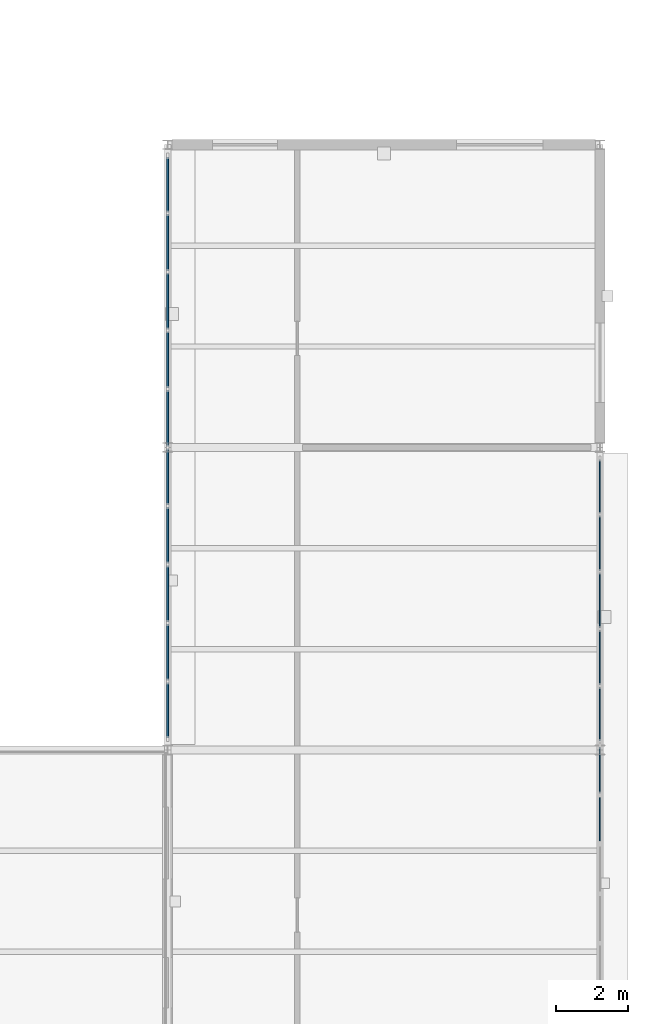
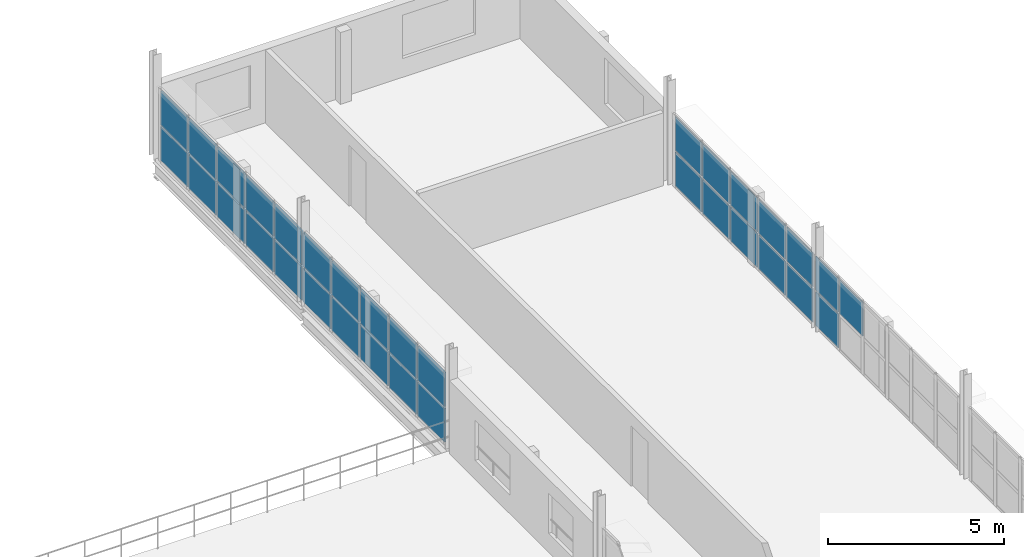
# One storey, part 50 of 74: 33 plates, 3 elements without a shape of their own.
"""IFC4 building model written with IfcOpenShell, lengths in metres."""

from ifc_helpers import new_model, si_unit, direction, frame, origin, origin_2d, place, context, subcontext, project, spatial, rectangle, extrude, material, layer, layer_set, type_object, element, aggregate, save


model = new_model("IFC4")

# Units and contexts
model_context = context("Model", 3, precision=1e-05, world=origin(), true_north=direction((0.0, 1.0)))
body_context = subcontext(model_context, "Body", "Model", "MODEL_VIEW")
ifc_project = project(units=[si_unit("LENGTHUNIT", "METRE"), si_unit("AREAUNIT", "SQUARE_METRE"), si_unit("VOLUMEUNIT", "CUBIC_METRE"), si_unit("PLANEANGLEUNIT", "RADIAN"), si_unit("MASSUNIT", "GRAM", prefix="KILO"), si_unit("THERMODYNAMICTEMPERATUREUNIT", "KELVIN"), si_unit("POWERUNIT", "WATT")], contexts=[model_context])

# Site, building, storey
site_placement = place(None, origin())
site = spatial("IfcSite", under=ifc_project, at=site_placement, CompositionType="ELEMENT")
building_placement = place(site_placement, origin())
building = spatial("IfcBuilding", under=site, at=building_placement, Name="Tembeka Court Mobility Hub", CompositionType="ELEMENT")
storey_placement = place(building_placement, frame((0.0, 0.0, 12.60009765625)))
storey = spatial("IfcBuildingStorey", under=building, at=storey_placement, Name="L03", CompositionType="ELEMENT", Elevation=12.60009765625)

# Curtain wall, plates
ifc_material_1 = material(Name="Anodised aluminium 6063-T6", Category="aluminium")
ifc_layer_1 = layer(ifc_material_1, 0.159912109375)
ifc_layer_set_1 = layer_set([ifc_layer_1], Name="Anodised aluminium 6063-T6")
curtain_wall_type_1 = type_object("IfcCurtainWallType", Name="CW-SYS53", PredefinedType="USERDEFINED", material=ifc_layer_set_1)
curtain_wall_1_placement = place(storey_placement, origin())
curtain_wall_1 = element("IfcCurtainWall", 1, at=curtain_wall_1_placement, inside=storey, type_object=curtain_wall_type_1, Name="Unitised curtain wall CW53 (CW-L03-138)", ObjectType="UNITISED GLAZING", PredefinedType="USERDEFINED")
ifc_material_2 = material(Name="Laminated solar-control low-E glass", Category="glass")
ifc_layer_2 = layer(ifc_material_2, 0.028076171875)
ifc_layer_set_2 = layer_set([ifc_layer_2], Name="Laminated solar-control low-E glass")
plate_type_1 = type_object("IfcPlateType", Name="PL-CW01", PredefinedType="CURTAIN_PANEL", material=ifc_layer_set_2)
plate_1_placement = place(storey_placement, frame((176.39990234375, 44.881103515625, 1.300048828125), z_axis=(0.0, 0.0, 1.0), x_axis=(0.0, 1.0, 0.0)))
plate_1 = element("IfcPlate", 2, at=plate_1_placement, type_object=plate_type_1, Name="CW53 panel 5.2", PredefinedType="CURTAIN_PANEL", context=body_context, shape_type="SweptSolid", body=[
    extrude(rectangle(XDim=1.31298828125, YDim=0.028076171875, at=origin_2d()), origin(), (0.0, 0.0, 1.0), 1.169921875),
])
plate_2_placement = place(storey_placement, frame((176.39990234375, 46.24267578125, 0.06494140625), z_axis=(0.0, 0.0, 1.0), x_axis=(0.0, 1.0, 0.0)))
plate_2 = element("IfcPlate", 3, at=plate_2_placement, type_object=plate_type_1, Name="CW53 panel 6.1", PredefinedType="CURTAIN_PANEL", context=body_context, shape_type="SweptSolid", body=[
    extrude(rectangle(XDim=1.280517578125, YDim=0.028076171875, at=origin_2d()), origin(), (0.0, 0.0, 1.0), 1.169921875),
])
plate_3_placement = place(storey_placement, frame((176.39990234375, 46.24267578125, 1.300048828125), z_axis=(0.0, 0.0, 1.0), x_axis=(0.0, 1.0, 0.0)))
plate_3 = element("IfcPlate", 4, at=plate_3_placement, type_object=plate_type_1, Name="CW53 panel 6.2", PredefinedType="CURTAIN_PANEL", context=body_context, shape_type="SweptSolid", body=[
    extrude(rectangle(XDim=1.280517578125, YDim=0.028076171875, at=origin_2d()), origin(), (0.0, 0.0, 1.0), 1.169921875),
])
aggregate(curtain_wall_1, [plate_1, plate_2, plate_3])

ifc_layer_3 = layer(ifc_material_1, 0.159912109375)
ifc_layer_set_3 = layer_set([ifc_layer_3], Name="Anodised aluminium 6063-T6")
curtain_wall_type_2 = type_object("IfcCurtainWallType", Name="CW-SYS54", PredefinedType="USERDEFINED", material=ifc_layer_set_3)
curtain_wall_2_placement = place(storey_placement, origin())
curtain_wall_2 = element("IfcCurtainWall", 5, at=curtain_wall_2_placement, inside=storey, type_object=curtain_wall_type_2, Name="Unitised curtain wall CW54 (CW-L03-139)", ObjectType="UNITISED GLAZING", PredefinedType="USERDEFINED")
plate_4_placement = place(storey_placement, frame((176.39990234375, 47.79736328125, 0.06494140625), z_axis=(0.0, 0.0, 1.0), x_axis=(0.0, 1.0, 0.0)))
plate_4 = element("IfcPlate", 6, at=plate_4_placement, type_object=plate_type_1, Name="CW54 panel 1.1", PredefinedType="CURTAIN_PANEL", context=body_context, shape_type="SweptSolid", body=[
    extrude(rectangle(XDim=1.489013671875, YDim=0.028076171875, at=origin_2d()), origin(), (0.0, 0.0, 1.0), 1.169921875),
])
plate_5_placement = place(storey_placement, frame((176.39990234375, 47.79736328125, 1.300048828125), z_axis=(0.0, 0.0, 1.0), x_axis=(0.0, 1.0, 0.0)))
plate_5 = element("IfcPlate", 7, at=plate_5_placement, type_object=plate_type_1, Name="CW54 panel 1.2", PredefinedType="CURTAIN_PANEL", context=body_context, shape_type="SweptSolid", body=[
    extrude(rectangle(XDim=1.489013671875, YDim=0.028076171875, at=origin_2d()), origin(), (0.0, 0.0, 1.0), 1.169921875),
])
plate_6_placement = place(storey_placement, frame((176.39990234375, 49.36767578125, 0.06494140625), z_axis=(0.0, 0.0, 1.0), x_axis=(0.0, 1.0, 0.0)))
plate_6 = element("IfcPlate", 8, at=plate_6_placement, type_object=plate_type_1, Name="CW54 panel 2.1", PredefinedType="CURTAIN_PANEL", context=body_context, shape_type="SweptSolid", body=[
    extrude(rectangle(XDim=1.521484375, YDim=0.028076171875, at=origin_2d()), origin(), (0.0, 0.0, 1.0), 1.169921875),
])
plate_7_placement = place(storey_placement, frame((176.39990234375, 49.36767578125, 1.300048828125), z_axis=(0.0, 0.0, 1.0), x_axis=(0.0, 1.0, 0.0)))
plate_7 = element("IfcPlate", 9, at=plate_7_placement, type_object=plate_type_1, Name="CW54 panel 2.2", PredefinedType="CURTAIN_PANEL", context=body_context, shape_type="SweptSolid", body=[
    extrude(rectangle(XDim=1.521484375, YDim=0.028076171875, at=origin_2d()), origin(), (0.0, 0.0, 1.0), 1.169921875),
])
plate_8_placement = place(storey_placement, frame((176.39990234375, 50.9541015625, 0.06494140625), z_axis=(0.0, 0.0, 1.0), x_axis=(0.0, 1.0, 0.0)))
plate_8 = element("IfcPlate", 10, at=plate_8_placement, type_object=plate_type_1, Name="CW54 panel 3.1", PredefinedType="CURTAIN_PANEL", context=body_context, shape_type="SweptSolid", body=[
    extrude(rectangle(XDim=1.521484375, YDim=0.028076171875, at=origin_2d()), origin(), (0.0, 0.0, 1.0), 1.169921875),
])
plate_9_placement = place(storey_placement, frame((176.39990234375, 50.9541015625, 1.300048828125), z_axis=(0.0, 0.0, 1.0), x_axis=(0.0, 1.0, 0.0)))
plate_9 = element("IfcPlate", 11, at=plate_9_placement, type_object=plate_type_1, Name="CW54 panel 3.2", PredefinedType="CURTAIN_PANEL", context=body_context, shape_type="SweptSolid", body=[
    extrude(rectangle(XDim=1.521484375, YDim=0.028076171875, at=origin_2d()), origin(), (0.0, 0.0, 1.0), 1.169921875),
])
plate_10_placement = place(storey_placement, frame((176.39990234375, 52.540283203125, 0.06494140625), z_axis=(0.0, 0.0, 1.0), x_axis=(0.0, 1.0, 0.0)))
plate_10 = element("IfcPlate", 12, at=plate_10_placement, type_object=plate_type_1, Name="CW54 panel 4.1", PredefinedType="CURTAIN_PANEL", context=body_context, shape_type="SweptSolid", body=[
    extrude(rectangle(XDim=1.521484375, YDim=0.028076171875, at=origin_2d()), origin(), (0.0, 0.0, 1.0), 1.169921875),
])
plate_11_placement = place(storey_placement, frame((176.39990234375, 52.540283203125, 1.300048828125), z_axis=(0.0, 0.0, 1.0), x_axis=(0.0, 1.0, 0.0)))
plate_11 = element("IfcPlate", 13, at=plate_11_placement, type_object=plate_type_1, Name="CW54 panel 4.2", PredefinedType="CURTAIN_PANEL", context=body_context, shape_type="SweptSolid", body=[
    extrude(rectangle(XDim=1.521484375, YDim=0.028076171875, at=origin_2d()), origin(), (0.0, 0.0, 1.0), 1.169921875),
])
plate_12_placement = place(storey_placement, frame((176.39990234375, 54.110595703125, 0.06494140625), z_axis=(0.0, 0.0, 1.0), x_axis=(0.0, 1.0, 0.0)))
plate_12 = element("IfcPlate", 14, at=plate_12_placement, type_object=plate_type_1, Name="CW54 panel 5.1", PredefinedType="CURTAIN_PANEL", context=body_context, shape_type="SweptSolid", body=[
    extrude(rectangle(XDim=1.489013671875, YDim=0.028076171875, at=origin_2d()), origin(), (0.0, 0.0, 1.0), 1.169921875),
])
plate_13_placement = place(storey_placement, frame((176.39990234375, 54.110595703125, 1.300048828125), z_axis=(0.0, 0.0, 1.0), x_axis=(0.0, 1.0, 0.0)))
plate_13 = element("IfcPlate", 15, at=plate_13_placement, type_object=plate_type_1, Name="CW54 panel 5.2", PredefinedType="CURTAIN_PANEL", context=body_context, shape_type="SweptSolid", body=[
    extrude(rectangle(XDim=1.489013671875, YDim=0.028076171875, at=origin_2d()), origin(), (0.0, 0.0, 1.0), 1.169921875),
])
aggregate(curtain_wall_2, [plate_4, plate_5, plate_6, plate_7, plate_8, plate_9, plate_10, plate_11, plate_12, plate_13])

ifc_layer_4 = layer(ifc_material_1, 0.159912109375)
ifc_layer_set_4 = layer_set([ifc_layer_4], Name="Anodised aluminium 6063-T6")
curtain_wall_type_3 = type_object("IfcCurtainWallType", Name="CW-SYS46", PredefinedType="USERDEFINED", material=ifc_layer_set_4)
curtain_wall_3_placement = place(storey_placement, origin())
curtain_wall_3 = element("IfcCurtainWall", 16, at=curtain_wall_3_placement, inside=storey, type_object=curtain_wall_type_3, Name="Unitised curtain wall CW46 (CW-L03-140)", ObjectType="UNITISED GLAZING", PredefinedType="USERDEFINED")
ifc_material_3 = material(Name="Insulated aluminium spandrel panel", Category="aluminium")
ifc_layer_5 = layer(ifc_material_3, 0.052001953125)
ifc_layer_set_5 = layer_set([ifc_layer_5], Name="Insulated aluminium spandrel panel")
plate_type_2 = type_object("IfcPlateType", Name="PL-CW02", PredefinedType="CURTAIN_PANEL", material=ifc_layer_set_5)
plate_14_placement = place(storey_placement, frame((164.39990234375, 47.908203125, 0.06494140625), z_axis=(0.0, 0.0, 1.0), x_axis=(0.0, 1.0, 0.0)))
plate_14 = element("IfcPlate", 17, at=plate_14_placement, type_object=plate_type_2, Name="CW46 panel 1.1", PredefinedType="CURTAIN_PANEL", context=body_context, shape_type="SweptSolid", body=[
    extrude(rectangle(XDim=1.526611328125, YDim=0.052001953125, at=origin_2d()), origin(), (0.0, 0.0, 1.0), 1.169921875),
])
plate_15_placement = place(storey_placement, frame((164.39990234375, 47.908203125, 1.300048828125), z_axis=(0.0, 0.0, 1.0), x_axis=(0.0, 1.0, 0.0)))
plate_15 = element("IfcPlate", 18, at=plate_15_placement, type_object=plate_type_2, Name="CW46 panel 1.2", PredefinedType="CURTAIN_PANEL", context=body_context, shape_type="SweptSolid", body=[
    extrude(rectangle(XDim=1.526611328125, YDim=0.052001953125, at=origin_2d()), origin(), (0.0, 0.0, 1.0), 1.169921875),
])
plate_16_placement = place(storey_placement, frame((164.39990234375, 49.51611328125, 0.06494140625), z_axis=(0.0, 0.0, 1.0), x_axis=(0.0, 1.0, 0.0)))
plate_16 = element("IfcPlate", 19, at=plate_16_placement, type_object=plate_type_2, Name="CW46 panel 2.1", PredefinedType="CURTAIN_PANEL", context=body_context, shape_type="SweptSolid", body=[
    extrude(rectangle(XDim=1.55908203125, YDim=0.052001953125, at=origin_2d()), origin(), (0.0, 0.0, 1.0), 1.169921875),
])
plate_17_placement = place(storey_placement, frame((164.39990234375, 49.51611328125, 1.300048828125), z_axis=(0.0, 0.0, 1.0), x_axis=(0.0, 1.0, 0.0)))
plate_17 = element("IfcPlate", 20, at=plate_17_placement, type_object=plate_type_2, Name="CW46 panel 2.2", PredefinedType="CURTAIN_PANEL", context=body_context, shape_type="SweptSolid", body=[
    extrude(rectangle(XDim=1.55908203125, YDim=0.052001953125, at=origin_2d()), origin(), (0.0, 0.0, 1.0), 1.169921875),
])
plate_18_placement = place(storey_placement, frame((164.39990234375, 51.139892578125, 0.06494140625), z_axis=(0.0, 0.0, 1.0), x_axis=(0.0, 1.0, 0.0)))
plate_18 = element("IfcPlate", 21, at=plate_18_placement, type_object=plate_type_2, Name="CW46 panel 3.1", PredefinedType="CURTAIN_PANEL", context=body_context, shape_type="SweptSolid", body=[
    extrude(rectangle(XDim=1.55908203125, YDim=0.052001953125, at=origin_2d()), origin(), (0.0, 0.0, 1.0), 1.169921875),
])
plate_19_placement = place(storey_placement, frame((164.39990234375, 51.139892578125, 1.300048828125), z_axis=(0.0, 0.0, 1.0), x_axis=(0.0, 1.0, 0.0)))
plate_19 = element("IfcPlate", 22, at=plate_19_placement, type_object=plate_type_2, Name="CW46 panel 3.2", PredefinedType="CURTAIN_PANEL", context=body_context, shape_type="SweptSolid", body=[
    extrude(rectangle(XDim=1.55908203125, YDim=0.052001953125, at=origin_2d()), origin(), (0.0, 0.0, 1.0), 1.169921875),
])
plate_20_placement = place(storey_placement, frame((164.39990234375, 52.763916015625, 0.06494140625), z_axis=(0.0, 0.0, 1.0), x_axis=(0.0, 1.0, 0.0)))
plate_20 = element("IfcPlate", 23, at=plate_20_placement, type_object=plate_type_2, Name="CW46 panel 4.1", PredefinedType="CURTAIN_PANEL", context=body_context, shape_type="SweptSolid", body=[
    extrude(rectangle(XDim=1.55908203125, YDim=0.052001953125, at=origin_2d()), origin(), (0.0, 0.0, 1.0), 1.169921875),
])
plate_21_placement = place(storey_placement, frame((164.39990234375, 52.763916015625, 1.300048828125), z_axis=(0.0, 0.0, 1.0), x_axis=(0.0, 1.0, 0.0)))
plate_21 = element("IfcPlate", 24, at=plate_21_placement, type_object=plate_type_2, Name="CW46 panel 4.2", PredefinedType="CURTAIN_PANEL", context=body_context, shape_type="SweptSolid", body=[
    extrude(rectangle(XDim=1.55908203125, YDim=0.052001953125, at=origin_2d()), origin(), (0.0, 0.0, 1.0), 1.169921875),
])
plate_22_placement = place(storey_placement, frame((164.39990234375, 54.387939453125, 0.06494140625), z_axis=(0.0, 0.0, 1.0), x_axis=(0.0, 1.0, 0.0)))
plate_22 = element("IfcPlate", 25, at=plate_22_placement, type_object=plate_type_2, Name="CW46 panel 5.1", PredefinedType="CURTAIN_PANEL", context=body_context, shape_type="SweptSolid", body=[
    extrude(rectangle(XDim=1.55908203125, YDim=0.052001953125, at=origin_2d()), origin(), (0.0, 0.0, 1.0), 1.169921875),
])
plate_23_placement = place(storey_placement, frame((164.39990234375, 54.387939453125, 1.300048828125), z_axis=(0.0, 0.0, 1.0), x_axis=(0.0, 1.0, 0.0)))
plate_23 = element("IfcPlate", 26, at=plate_23_placement, type_object=plate_type_2, Name="CW46 panel 5.2", PredefinedType="CURTAIN_PANEL", context=body_context, shape_type="SweptSolid", body=[
    extrude(rectangle(XDim=1.55908203125, YDim=0.052001953125, at=origin_2d()), origin(), (0.0, 0.0, 1.0), 1.169921875),
])
plate_24_placement = place(storey_placement, frame((164.39990234375, 56.011962890625, 0.06494140625), z_axis=(0.0, 0.0, 1.0), x_axis=(0.0, 1.0, 0.0)))
plate_24 = element("IfcPlate", 27, at=plate_24_placement, type_object=plate_type_2, Name="CW46 panel 6.1", PredefinedType="CURTAIN_PANEL", context=body_context, shape_type="SweptSolid", body=[
    extrude(rectangle(XDim=1.55908203125, YDim=0.052001953125, at=origin_2d()), origin(), (0.0, 0.0, 1.0), 1.169921875),
])
plate_25_placement = place(storey_placement, frame((164.39990234375, 56.011962890625, 1.300048828125), z_axis=(0.0, 0.0, 1.0), x_axis=(0.0, 1.0, 0.0)))
plate_25 = element("IfcPlate", 28, at=plate_25_placement, type_object=plate_type_2, Name="CW46 panel 6.2", PredefinedType="CURTAIN_PANEL", context=body_context, shape_type="SweptSolid", body=[
    extrude(rectangle(XDim=1.55908203125, YDim=0.052001953125, at=origin_2d()), origin(), (0.0, 0.0, 1.0), 1.169921875),
])
plate_26_placement = place(storey_placement, frame((164.39990234375, 57.635986328125, 0.06494140625), z_axis=(0.0, 0.0, 1.0), x_axis=(0.0, 1.0, 0.0)))
plate_26 = element("IfcPlate", 29, at=plate_26_placement, type_object=plate_type_2, Name="CW46 panel 7.1", PredefinedType="CURTAIN_PANEL", context=body_context, shape_type="SweptSolid", body=[
    extrude(rectangle(XDim=1.55908203125, YDim=0.052001953125, at=origin_2d()), origin(), (0.0, 0.0, 1.0), 1.169921875),
])
plate_27_placement = place(storey_placement, frame((164.39990234375, 57.635986328125, 1.300048828125), z_axis=(0.0, 0.0, 1.0), x_axis=(0.0, 1.0, 0.0)))
plate_27 = element("IfcPlate", 30, at=plate_27_placement, type_object=plate_type_2, Name="CW46 panel 7.2", PredefinedType="CURTAIN_PANEL", context=body_context, shape_type="SweptSolid", body=[
    extrude(rectangle(XDim=1.55908203125, YDim=0.052001953125, at=origin_2d()), origin(), (0.0, 0.0, 1.0), 1.169921875),
])
plate_28_placement = place(storey_placement, frame((164.39990234375, 59.260009765625, 0.06494140625), z_axis=(0.0, 0.0, 1.0), x_axis=(0.0, 1.0, 0.0)))
plate_28 = element("IfcPlate", 31, at=plate_28_placement, type_object=plate_type_2, Name="CW46 panel 8.1", PredefinedType="CURTAIN_PANEL", context=body_context, shape_type="SweptSolid", body=[
    extrude(rectangle(XDim=1.55908203125, YDim=0.052001953125, at=origin_2d()), origin(), (0.0, 0.0, 1.0), 1.169921875),
])
plate_29_placement = place(storey_placement, frame((164.39990234375, 59.260009765625, 1.300048828125), z_axis=(0.0, 0.0, 1.0), x_axis=(0.0, 1.0, 0.0)))
plate_29 = element("IfcPlate", 32, at=plate_29_placement, type_object=plate_type_2, Name="CW46 panel 8.2", PredefinedType="CURTAIN_PANEL", context=body_context, shape_type="SweptSolid", body=[
    extrude(rectangle(XDim=1.55908203125, YDim=0.052001953125, at=origin_2d()), origin(), (0.0, 0.0, 1.0), 1.169921875),
])
plate_30_placement = place(storey_placement, frame((164.39990234375, 60.884033203125, 0.06494140625), z_axis=(0.0, 0.0, 1.0), x_axis=(0.0, 1.0, 0.0)))
plate_30 = element("IfcPlate", 33, at=plate_30_placement, type_object=plate_type_2, Name="CW46 panel 9.1", PredefinedType="CURTAIN_PANEL", context=body_context, shape_type="SweptSolid", body=[
    extrude(rectangle(XDim=1.55908203125, YDim=0.052001953125, at=origin_2d()), origin(), (0.0, 0.0, 1.0), 1.169921875),
])
plate_31_placement = place(storey_placement, frame((164.39990234375, 60.884033203125, 1.300048828125), z_axis=(0.0, 0.0, 1.0), x_axis=(0.0, 1.0, 0.0)))
plate_31 = element("IfcPlate", 34, at=plate_31_placement, type_object=plate_type_2, Name="CW46 panel 9.2", PredefinedType="CURTAIN_PANEL", context=body_context, shape_type="SweptSolid", body=[
    extrude(rectangle(XDim=1.55908203125, YDim=0.052001953125, at=origin_2d()), origin(), (0.0, 0.0, 1.0), 1.169921875),
])
plate_32_placement = place(storey_placement, frame((164.39990234375, 62.49169921875, 0.06494140625), z_axis=(0.0, 0.0, 1.0), x_axis=(0.0, 1.0, 0.0)))
plate_32 = element("IfcPlate", 35, at=plate_32_placement, type_object=plate_type_2, Name="CW46 panel 10.1", PredefinedType="CURTAIN_PANEL", context=body_context, shape_type="SweptSolid", body=[
    extrude(rectangle(XDim=1.526611328125, YDim=0.052001953125, at=origin_2d()), origin(), (0.0, 0.0, 1.0), 1.169921875),
])
plate_33_placement = place(storey_placement, frame((164.39990234375, 62.49169921875, 1.300048828125), z_axis=(0.0, 0.0, 1.0), x_axis=(0.0, 1.0, 0.0)))
plate_33 = element("IfcPlate", 36, at=plate_33_placement, type_object=plate_type_2, Name="CW46 panel 10.2", PredefinedType="CURTAIN_PANEL", context=body_context, shape_type="SweptSolid", body=[
    extrude(rectangle(XDim=1.526611328125, YDim=0.052001953125, at=origin_2d()), origin(), (0.0, 0.0, 1.0), 1.169921875),
])
aggregate(curtain_wall_3, [plate_14, plate_15, plate_16, plate_17, plate_18, plate_19, plate_20, plate_21, plate_22, plate_23, plate_24, plate_25, plate_26, plate_27, plate_28, plate_29, plate_30, plate_31, plate_32, plate_33])

save(model, "model.ifc")
